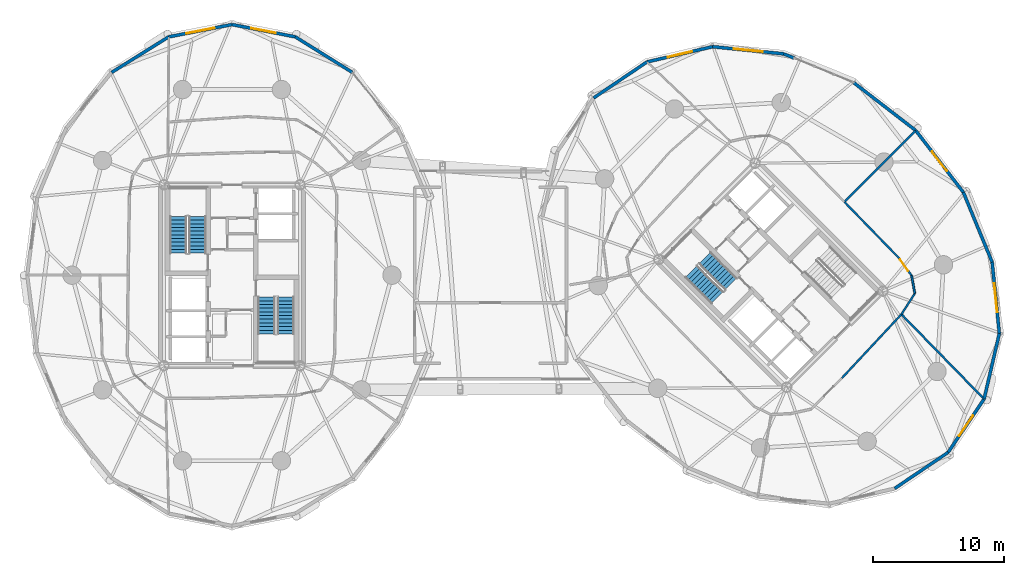
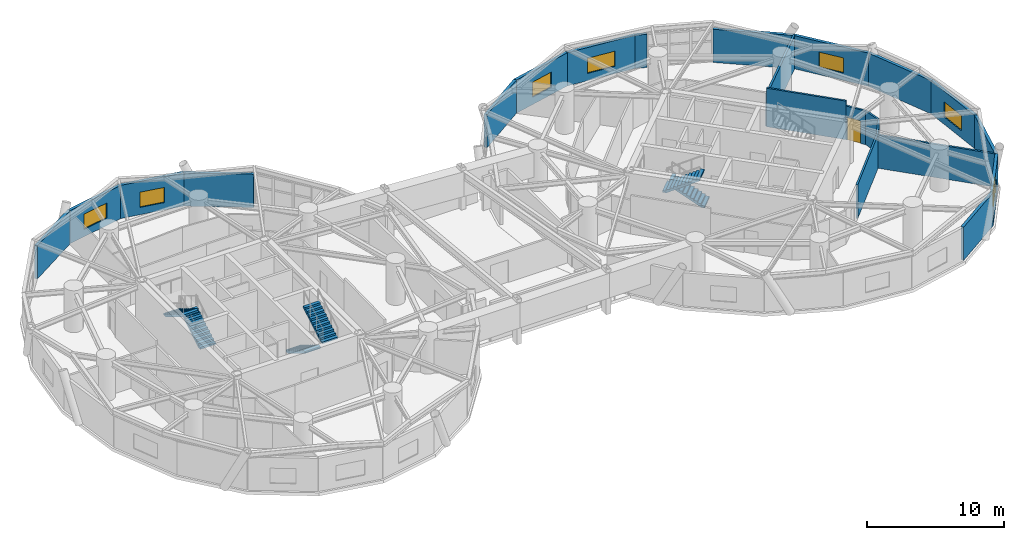
# One storey, part 14 of 17: 22 walls, 7 windows, 6 stair flights, 1 door, 8 openings, 3 elements without a shape of their own.
"""IFC4 building model written with IfcOpenShell, lengths in metres."""

from ifc_helpers import new_model, si_unit, direction, frame, frame_2d, origin, place, context, subcontext, project, spatial, polyline, rectangle, outline, extrude, source, transform, mapped, material, layer, layer_set, type_object, element, fill, aggregate, save


model = new_model("IFC4")

# Units and contexts
model_context = context("Model", 3, precision=1e-05, world=origin(), true_north=direction((0.0, 1.0)))
body_context = subcontext(model_context, "Body", "Model", "MODEL_VIEW")
ifc_project = project(units=[si_unit("LENGTHUNIT", "METRE"), si_unit("AREAUNIT", "SQUARE_METRE"), si_unit("VOLUMEUNIT", "CUBIC_METRE"), si_unit("PLANEANGLEUNIT", "RADIAN"), si_unit("MASSUNIT", "GRAM", prefix="KILO")], contexts=[model_context])

# Site, building, storey
site_placement = place(None, origin())
site = spatial("IfcSite", under=ifc_project, at=site_placement, CompositionType="ELEMENT")
building_placement = place(site_placement, origin())
building = spatial("IfcBuilding", under=site, at=building_placement, Name="Cununo Teusaquillo Station Towers", CompositionType="ELEMENT")
storey_placement = place(building_placement, frame((0.0, 0.0, 125.43994140625)))
storey = spatial("IfcBuildingStorey", under=building, at=storey_placement, Name="L40", CompositionType="ELEMENT", Elevation=125.43994140625)

# Wall
ifc_material_1 = material(Name="Precast concrete C40/50", Category="concrete")
ifc_layer_1 = layer(ifc_material_1, 0.239990234375)
ifc_layer_set_1 = layer_set([ifc_layer_1], Name="Precast concrete C40/50")
wall_type_1 = type_object("IfcWallType", Name="WL-EXT-240", PredefinedType="SOLIDWALL", material=ifc_layer_set_1)
wall_1_placement = place(storey_placement, frame((21.314697265625, 42.63671875, 0.0), z_axis=(0.0, 0.0, 1.0), x_axis=(0.848520380187, -0.529162701263, 0.0)))
element("IfcWall", 1, at=wall_1_placement, inside=storey, type_object=wall_type_1, Name="L40 Tower A Exterior Facade Wall C03", PredefinedType="SOLIDWALL", context=body_context, shape_type="SweptSolid", body=[
    extrude(rectangle(XDim=5.118896484375, YDim=0.239990234375, at=frame_2d((2.5595703125, 0.0))), origin(), (0.0, 0.0, 1.0), 2.948974609375),
])

# Wall, opening, window
wall_2_placement = place(storey_placement, frame((16.5, 43.570068359375, 0.0), z_axis=(0.0, 0.0, 1.0), x_axis=(0.981723785992, -0.190311344954, 0.0)))
wall_2 = element("IfcWall", 2, at=wall_2_placement, inside=storey, type_object=wall_type_1, Name="L40 Tower A Exterior Facade Wall C04", PredefinedType="SOLIDWALL", context=body_context, shape_type="SweptSolid", body=[
    extrude(rectangle(XDim=4.904296875, YDim=0.239990234375, at=frame_2d((2.4521484375, 0.0))), origin(), (0.0, 0.0, 1.0), 2.948974609375),
])
shared_shape_1 = source(origin(), body_context, "Body", "SweptSolid", [
    extrude(rectangle(XDim=1.89990234375, YDim=1.35009765625, at=frame_2d((0.949951171875, 0.675048828125))), frame((0.0, 0.1298828125, 0.0), z_axis=(0.0, -1.0, 0.0), x_axis=(1.0, 0.0, 0.0)), (0.0, 0.0, 1.0), 0.260009765625),
])
opening_1_placement = place(wall_2_placement, frame((1.501953125, 0.0, 0.64990234375)))
opening_1 = element("IfcOpeningElement", 3, at=opening_1_placement, cuts=wall_2, Name="Opening WN-02", PredefinedType="OPENING", context=body_context, shape_type="MappedRepresentation", body=[
    mapped(shared_shape_1, transform((0.0, 0.0, 0.0), x_axis=(1.0, 0.0, 0.0), y_axis=(0.0, 1.0, 0.0), z_axis=(0.0, 0.0, 1.0), scale=1.0)),
])
ifc_material_2 = material(Name="Operable acoustic tinted low-E double glazing", Category="glass")
window_type_1 = type_object("IfcWindowType", Name="WIN-OPER-1900", PartitioningType="DOUBLE_PANEL_VERTICAL", PredefinedType="WINDOW", material=ifc_material_2)
shared_shape_2 = source(origin(), body_context, "Body", "SweptSolid", [
    extrude(rectangle(XDim=1.89990234375, YDim=1.35009765625, at=frame_2d((0.949951171875, 0.675048828125))), frame((0.0, 0.030029296875, 0.0), z_axis=(0.0, -1.0, 0.0), x_axis=(1.0, 0.0, 0.0)), (0.0, 0.0, 1.0), 0.06005859375),
])
window_1_placement = place(opening_1_placement, origin())
window_1 = element("IfcWindow", 4, at=window_1_placement, inside=storey, type_object=window_type_1, Name="L40 Tower A Facade Window C04", OverallHeight=1.35009765625, OverallWidth=1.89990234375, PartitioningType="DOUBLE_PANEL_VERTICAL", PredefinedType="WINDOW", context=body_context, shape_type="MappedRepresentation", body=[
    mapped(shared_shape_2, transform((0.0, 0.0, 0.0), x_axis=(1.0, 0.0, 0.0), y_axis=(0.0, 1.0, 0.0), z_axis=(0.0, 0.0, 1.0), scale=1.0)),
])
fill(opening_1, window_1)

wall_3_placement = place(storey_placement, frame((11.685302734375, 42.63671875, 0.0), z_axis=(0.0, 0.0, 1.0), x_axis=(0.981723785992, 0.190311344954, 0.0)))
wall_3 = element("IfcWall", 5, at=wall_3_placement, inside=storey, type_object=wall_type_1, Name="L40 Tower A Exterior Facade Wall C05", PredefinedType="SOLIDWALL", context=body_context, shape_type="SweptSolid", body=[
    extrude(rectangle(XDim=4.904296875, YDim=0.239990234375, at=frame_2d((2.4521484375, 0.0))), origin(), (0.0, 0.0, 1.0), 2.948974609375),
])
shared_shape_3 = source(origin(), body_context, "Body", "SweptSolid", [
    extrude(rectangle(XDim=2.199951171875, YDim=1.35009765625, at=frame_2d((1.10009765625, 0.675048828125))), frame((0.0, 0.1298828125, 0.0), z_axis=(0.0, -1.0, 0.0), x_axis=(1.0, 0.0, 0.0)), (0.0, 0.0, 1.0), 0.260009765625),
])
opening_2_placement = place(wall_3_placement, frame((1.35205078125, 0.0, 0.64990234375)))
opening_2 = element("IfcOpeningElement", 6, at=opening_2_placement, cuts=wall_3, Name="Opening WN-01", PredefinedType="OPENING", context=body_context, shape_type="MappedRepresentation", body=[
    mapped(shared_shape_3, transform((0.0, 0.0, 0.0), x_axis=(1.0, 0.0, 0.0), y_axis=(0.0, 1.0, 0.0), z_axis=(0.0, 0.0, 1.0), scale=1.0)),
])
ifc_material_3 = material(Name="Ceramic-fritted dark low-E double glazing", Category="glass")
window_type_2 = type_object("IfcWindowType", Name="WIN-FRIT-2200", PartitioningType="DOUBLE_PANEL_VERTICAL", PredefinedType="WINDOW", material=ifc_material_3)
shared_shape_4 = source(origin(), body_context, "Body", "SweptSolid", [
    extrude(rectangle(XDim=2.199951171875, YDim=1.35009765625, at=frame_2d((1.10009765625, 0.675048828125))), frame((0.0, 0.030029296875, 0.0), z_axis=(0.0, -1.0, 0.0), x_axis=(1.0, 0.0, 0.0)), (0.0, 0.0, 1.0), 0.06005859375),
])
window_2_placement = place(opening_2_placement, origin())
window_2 = element("IfcWindow", 7, at=window_2_placement, inside=storey, type_object=window_type_2, Name="L40 Tower A Facade Window C05", OverallHeight=1.35009765625, OverallWidth=2.199951171875, PartitioningType="DOUBLE_PANEL_VERTICAL", PredefinedType="WINDOW", context=body_context, shape_type="MappedRepresentation", body=[
    mapped(shared_shape_4, transform((0.0, 0.0, 0.0), x_axis=(1.0, 0.0, 0.0), y_axis=(0.0, 1.0, 0.0), z_axis=(0.0, 0.0, 1.0), scale=1.0)),
])
fill(opening_2, window_2)

# Walls
wall_4_placement = place(storey_placement, frame((7.341796875, 39.927978515625, 0.0), z_axis=(0.0, 0.0, 1.0), x_axis=(0.848520380187, 0.529162701263, 0.0)))
element("IfcWall", 8, at=wall_4_placement, inside=storey, type_object=wall_type_1, Name="L40 Tower A Exterior Facade Wall C06", PredefinedType="SOLIDWALL", context=body_context, shape_type="SweptSolid", body=[
    extrude(rectangle(XDim=5.118896484375, YDim=0.239990234375, at=frame_2d((2.5595703125, 0.0))), origin(), (0.0, 0.0, 1.0), 2.948974609375),
])
wall_5_placement = place(storey_placement, frame((63.811279296875, 39.145263671875, 0.0), z_axis=(0.0, 0.0, 1.0), x_axis=(0.791982052206, -0.61054437102, 0.0)))
element("IfcWall", 9, at=wall_5_placement, inside=storey, type_object=wall_type_1, Name="L40 Tower B Exterior Facade Wall C00", PredefinedType="SOLIDWALL", context=body_context, shape_type="SweptSolid", body=[
    extrude(rectangle(XDim=5.942138671875, YDim=0.239990234375, at=frame_2d((2.97119140625, 0.0))), origin(), (0.0, 0.0, 1.0), 2.948974609375),
])
wall_6_placement = place(storey_placement, frame((58.4873046875, 41.33935546875, 0.0), z_axis=(0.0, 0.0, 1.0), x_axis=(0.924556017656, -0.381046152345, 0.0)))
element("IfcWall", 10, at=wall_6_placement, inside=storey, type_object=wall_type_1, Name="L40 Tower B Column Pier Cladding Wall C01-PA", PredefinedType="SOLIDWALL", context=body_context, shape_type="SweptSolid", body=[
    extrude(rectangle(XDim=0.8701171875, YDim=0.239990234375, at=frame_2d((0.43505859375, 0.0))), origin(), (0.0, 0.0, 1.0), 2.948974609375),
])

# Wall, opening, window
wall_7_placement = place(storey_placement, frame((53.066650390625, 41.885009765625, 0.0), z_axis=(0.0, 0.0, 1.0), x_axis=(0.994971754311, -0.10015591906, 0.0)))
wall_7 = element("IfcWall", 11, at=wall_7_placement, inside=storey, type_object=wall_type_1, Name="L40 Tower B Exterior Facade Wall C02", PredefinedType="SOLIDWALL", context=body_context, shape_type="SweptSolid", body=[
    extrude(rectangle(XDim=5.447998046875, YDim=0.239990234375, at=frame_2d((2.72412109375, 0.0))), origin(), (0.0, 0.0, 1.0), 2.948974609375),
])
opening_3_placement = place(wall_7_placement, frame((1.6240234375, 0.0, 0.64990234375)))
opening_3 = element("IfcOpeningElement", 12, at=opening_3_placement, cuts=wall_7, Name="Opening WN-01", PredefinedType="OPENING", context=body_context, shape_type="MappedRepresentation", body=[
    mapped(shared_shape_3, transform((0.0, 0.0, 0.0), x_axis=(1.0, 0.0, 0.0), y_axis=(0.0, 1.0, 0.0), z_axis=(0.0, 0.0, 1.0), scale=1.0)),
])
window_3_placement = place(opening_3_placement, origin())
window_3 = element("IfcWindow", 13, at=window_3_placement, inside=storey, type_object=window_type_2, Name="L40 Tower B Facade Window C02", OverallHeight=1.35009765625, OverallWidth=2.199951171875, PartitioningType="DOUBLE_PANEL_VERTICAL", PredefinedType="WINDOW", context=body_context, shape_type="MappedRepresentation", body=[
    mapped(shared_shape_4, transform((0.0, 0.0, 0.0), x_axis=(1.0, 0.0, 0.0), y_axis=(0.0, 1.0, 0.0), z_axis=(0.0, 0.0, 1.0), scale=1.0)),
])
fill(opening_3, window_3)

wall_8_placement = place(storey_placement, frame((48.080078125, 40.72900390625, 0.0), z_axis=(0.0, 0.0, 1.0), x_axis=(0.974165631126, 0.225834725257, 0.0)))
wall_8 = element("IfcWall", 14, at=wall_8_placement, inside=storey, type_object=wall_type_1, Name="L40 Tower B Exterior Facade Wall C03", PredefinedType="SOLIDWALL", context=body_context, shape_type="SweptSolid", body=[
    extrude(rectangle(XDim=5.118896484375, YDim=0.239990234375, at=frame_2d((2.5595703125, 0.0))), origin(), (0.0, 0.0, 1.0), 2.948974609375),
])
opening_4_placement = place(wall_8_placement, frame((1.60888671875, 0.0, 0.64990234375)))
opening_4 = element("IfcOpeningElement", 15, at=opening_4_placement, cuts=wall_8, Name="Opening WN-02", PredefinedType="OPENING", context=body_context, shape_type="MappedRepresentation", body=[
    mapped(shared_shape_1, transform((0.0, 0.0, 0.0), x_axis=(1.0, 0.0, 0.0), y_axis=(0.0, 1.0, 0.0), z_axis=(0.0, 0.0, 1.0), scale=1.0)),
])
window_4_placement = place(opening_4_placement, origin())
window_4 = element("IfcWindow", 16, at=window_4_placement, inside=storey, type_object=window_type_1, Name="L40 Tower B Facade Window C03", OverallHeight=1.35009765625, OverallWidth=1.89990234375, PartitioningType="DOUBLE_PANEL_VERTICAL", PredefinedType="WINDOW", context=body_context, shape_type="MappedRepresentation", body=[
    mapped(shared_shape_2, transform((0.0, 0.0, 0.0), x_axis=(1.0, 0.0, 0.0), y_axis=(0.0, 1.0, 0.0), z_axis=(0.0, 0.0, 1.0), scale=1.0)),
])
fill(opening_4, window_4)

# Walls
for number, where, z_axis, x_axis, name in (
    (17, (44.015380859375, 37.984619140625, 0.0), (0.0, 0.0, 1.0), (0.828781148131, 0.559572880421, 0.0), "L40 Tower B Exterior Facade Wall C04"),
    (18, (70.984619140625, 11.015380859375, 0.0), (0.0, 0.0, 1.0), (-0.828781148131, -0.559572880421, 0.0), "L40 Tower B Exterior Facade Wall C14"),
):
    element("IfcWall", number, at=place(storey_placement, frame(where, z_axis=z_axis, x_axis=x_axis)), inside=storey, type_object=wall_type_1, Name=name, PredefinedType="SOLIDWALL", context=body_context, shape_type="SweptSolid", body=[
        extrude(rectangle(XDim=4.904541015625, YDim=0.239990234375, at=frame_2d((2.4521484375, 0.0))), origin(), (0.0, 0.0, 1.0), 2.948974609375),
    ])

# Wall, opening, window
wall_9_placement = place(storey_placement, frame((73.72900390625, 15.080078125, 0.0), z_axis=(0.0, 0.0, 1.0), x_axis=(-0.559572880421, -0.828781148131, 0.0)))
wall_9 = element("IfcWall", 19, at=wall_9_placement, inside=storey, type_object=wall_type_1, Name="L40 Tower B Exterior Facade Wall C15", PredefinedType="SOLIDWALL", context=body_context, shape_type="SweptSolid", body=[
    extrude(rectangle(XDim=4.904541015625, YDim=0.239990234375, at=frame_2d((2.4521484375, 0.0))), origin(), (0.0, 0.0, 1.0), 2.948974609375),
])
opening_5_placement = place(wall_9_placement, frame((1.501953125, 0.0, 0.64990234375)))
opening_5 = element("IfcOpeningElement", 20, at=opening_5_placement, cuts=wall_9, Name="Opening WN-02", PredefinedType="OPENING", context=body_context, shape_type="MappedRepresentation", body=[
    mapped(shared_shape_1, transform((0.0, 0.0, 0.0), x_axis=(1.0, 0.0, 0.0), y_axis=(0.0, 1.0, 0.0), z_axis=(0.0, 0.0, 1.0), scale=1.0)),
])
window_5_placement = place(opening_5_placement, origin())
window_5 = element("IfcWindow", 21, at=window_5_placement, inside=storey, type_object=window_type_1, Name="L40 Tower B Facade Window C15", OverallHeight=1.35009765625, OverallWidth=1.89990234375, PartitioningType="DOUBLE_PANEL_VERTICAL", PredefinedType="WINDOW", context=body_context, shape_type="MappedRepresentation", body=[
    mapped(shared_shape_2, transform((0.0, 0.0, 0.0), x_axis=(1.0, 0.0, 0.0), y_axis=(0.0, 1.0, 0.0), z_axis=(0.0, 0.0, 1.0), scale=1.0)),
])
fill(opening_5, window_5)

# Wall
wall_10_placement = place(storey_placement, frame((74.885009765625, 20.066650390625, 0.0), z_axis=(0.0, 0.0, 1.0), x_axis=(-0.225834725257, -0.974165631126, 0.0)))
element("IfcWall", 22, at=wall_10_placement, inside=storey, type_object=wall_type_1, Name="L40 Tower B Exterior Facade Wall C16", PredefinedType="SOLIDWALL", context=body_context, shape_type="SweptSolid", body=[
    extrude(rectangle(XDim=5.118896484375, YDim=0.239990234375, at=frame_2d((2.5595703125, 0.0))), origin(), (0.0, 0.0, 1.0), 2.948974609375),
])

# Wall, opening, window
wall_11_placement = place(storey_placement, frame((74.33935546875, 25.4873046875, 0.0), z_axis=(0.0, 0.0, 1.0), x_axis=(0.10015591906, -0.994971754311, 0.0)))
wall_11 = element("IfcWall", 23, at=wall_11_placement, inside=storey, type_object=wall_type_1, Name="L40 Tower B Exterior Facade Wall C17", PredefinedType="SOLIDWALL", context=body_context, shape_type="SweptSolid", body=[
    extrude(rectangle(XDim=5.447998046875, YDim=0.239990234375, at=frame_2d((2.72412109375, 0.0))), origin(), (0.0, 0.0, 1.0), 2.948974609375),
])
opening_6_placement = place(wall_11_placement, frame((1.6240234375, 0.0, 0.64990234375)))
opening_6 = element("IfcOpeningElement", 24, at=opening_6_placement, cuts=wall_11, Name="Opening WN-01", PredefinedType="OPENING", context=body_context, shape_type="MappedRepresentation", body=[
    mapped(shared_shape_3, transform((0.0, 0.0, 0.0), x_axis=(1.0, 0.0, 0.0), y_axis=(0.0, 1.0, 0.0), z_axis=(0.0, 0.0, 1.0), scale=1.0)),
])
window_6_placement = place(opening_6_placement, origin())
window_6 = element("IfcWindow", 25, at=window_6_placement, inside=storey, type_object=window_type_2, Name="L40 Tower B Facade Window C17", OverallHeight=1.35009765625, OverallWidth=2.199951171875, PartitioningType="DOUBLE_PANEL_VERTICAL", PredefinedType="WINDOW", context=body_context, shape_type="MappedRepresentation", body=[
    mapped(shared_shape_4, transform((0.0, 0.0, 0.0), x_axis=(1.0, 0.0, 0.0), y_axis=(0.0, 1.0, 0.0), z_axis=(0.0, 0.0, 1.0), scale=1.0)),
])
fill(opening_6, window_6)

# Wall
wall_12_placement = place(storey_placement, frame((72.145263671875, 30.811279296875, 0.0), z_axis=(0.0, 0.0, 1.0), x_axis=(0.381027003055, -0.924563909604, 0.0)))
element("IfcWall", 26, at=wall_12_placement, inside=storey, type_object=wall_type_1, Name="L40 Tower B Exterior Facade Wall C18", PredefinedType="SOLIDWALL", context=body_context, shape_type="SweptSolid", body=[
    extrude(rectangle(XDim=5.75830078125, YDim=0.239990234375, at=frame_2d((2.879150390625, 0.0))), origin(), (0.0, 0.0, 1.0), 2.948974609375),
])

# Wall, opening, window
wall_13_placement = place(storey_placement, frame((68.517333984375, 35.517333984375, 0.0), z_axis=(0.0, 0.0, 1.0), x_axis=(0.61054437102, -0.791982052206, 0.0)))
wall_13 = element("IfcWall", 27, at=wall_13_placement, inside=storey, type_object=wall_type_1, Name="L40 Tower B Exterior Facade Wall C19", PredefinedType="SOLIDWALL", context=body_context, shape_type="SweptSolid", body=[
    extrude(rectangle(XDim=5.942138671875, YDim=0.239990234375, at=frame_2d((2.97119140625, 0.0))), origin(), (0.0, 0.0, 1.0), 2.948974609375),
])
opening_7_placement = place(wall_13_placement, frame((2.02099609375, 0.0, 0.64990234375)))
opening_7 = element("IfcOpeningElement", 28, at=opening_7_placement, cuts=wall_13, Name="Opening WN-02", PredefinedType="OPENING", context=body_context, shape_type="MappedRepresentation", body=[
    mapped(shared_shape_1, transform((0.0, 0.0, 0.0), x_axis=(1.0, 0.0, 0.0), y_axis=(0.0, 1.0, 0.0), z_axis=(0.0, 0.0, 1.0), scale=1.0)),
])
window_7_placement = place(opening_7_placement, origin())
window_7 = element("IfcWindow", 29, at=window_7_placement, inside=storey, type_object=window_type_1, Name="L40 Tower B Facade Window C19", OverallHeight=1.35009765625, OverallWidth=1.89990234375, PartitioningType="DOUBLE_PANEL_VERTICAL", PredefinedType="WINDOW", context=body_context, shape_type="MappedRepresentation", body=[
    mapped(shared_shape_2, transform((0.0, 0.0, 0.0), x_axis=(1.0, 0.0, 0.0), y_axis=(0.0, 1.0, 0.0), z_axis=(0.0, 0.0, 1.0), scale=1.0)),
])
fill(opening_7, window_7)

# Walls
ifc_material_4 = material(Name="Fire-rated gypsum plasterboard partition assembly", Category="gypsum")
ifc_layer_2 = layer(ifc_material_4, 0.14990234375)
ifc_layer_set_2 = layer_set([ifc_layer_2], Name="Fire-rated gypsum plasterboard partition assembly")
wall_type_2 = type_object("IfcWallType", Name="WL-PART-150", PredefinedType="PARTITIONING", material=ifc_layer_set_2)
wall_14_placement = place(storey_placement, frame((62.902587890625, 16.66650390625, 0.0), z_axis=(0.0, 0.0, 1.0), x_axis=(0.682371947497, 0.731005147225, 0.0)))
element("IfcWall", 30, at=wall_14_placement, inside=storey, type_object=wall_type_2, Name="L40 Tower B Corridor Ring Wall C15", PredefinedType="PARTITIONING", context=body_context, shape_type="SweptSolid", body=[
    extrude(rectangle(XDim=6.6416015625, YDim=0.14990234375, at=frame_2d((3.32080078125, 0.0))), origin(), (0.0, 0.0, 1.0), 2.9951171875),
])
wall_15_placement = place(storey_placement, frame((67.4345703125, 21.521484375, 0.0), z_axis=(0.0, 0.0, 1.0), x_axis=(0.540777197838, 0.841165870859, 0.0)))
element("IfcWall", 31, at=wall_15_placement, inside=storey, type_object=wall_type_2, Name="L40 Tower B Corridor Ring Wall C16", PredefinedType="PARTITIONING", context=body_context, shape_type="SweptSolid", body=[
    extrude(rectangle(XDim=1.887939453125, YDim=0.14990234375, at=frame_2d((0.94384765625, 0.0))), origin(), (0.0, 0.0, 1.0), 2.9951171875),
])
wall_16_placement = place(storey_placement, frame((68.45556640625, 23.109619140625, 0.0), z_axis=(0.0, 0.0, 1.0), x_axis=(-0.1772522795, 0.984165448191, 0.0)))
element("IfcWall", 32, at=wall_16_placement, inside=storey, type_object=wall_type_2, Name="L40 Tower B Corridor Ring Wall C17", PredefinedType="PARTITIONING", context=body_context, shape_type="SweptSolid", body=[
    extrude(rectangle(XDim=1.381591796875, YDim=0.14990234375, at=frame_2d((0.69091796875, 0.0))), origin(), (0.0, 0.0, 1.0), 2.9951171875),
])

# Wall, opening, door
wall_17_placement = place(storey_placement, frame((68.210693359375, 24.46923828125, 0.0), z_axis=(0.0, 0.0, 1.0), x_axis=(-0.583012141368, 0.812463441034, 0.0)))
wall_17 = element("IfcWall", 33, at=wall_17_placement, inside=storey, type_object=wall_type_2, Name="L40 Tower B Corridor Ring Wall C18", PredefinedType="PARTITIONING", context=body_context, shape_type="SweptSolid", body=[
    extrude(rectangle(XDim=1.613037109375, YDim=0.14990234375, at=frame_2d((0.806640625, 0.0))), origin(), (0.0, 0.0, 1.0), 2.9951171875),
])
shared_shape_5 = source(origin(), body_context, "Body", "SweptSolid", [
    extrude(rectangle(XDim=1.050048828125, YDim=2.014892578125, at=frame_2d((0.52490234375, 1.00732421875))), frame((0.0, 0.0849609375, 0.0), z_axis=(0.0, -1.0, 0.0), x_axis=(1.0, 0.0, 0.0)), (0.0, 0.0, 1.0), 0.169921875),
])
opening_8_placement = place(wall_17_placement, frame((0.443115234375, 0.0, 0.0)))
opening_8 = element("IfcOpeningElement", 34, at=opening_8_placement, cuts=wall_17, Name="Opening D-SU1", PredefinedType="OPENING", context=body_context, shape_type="MappedRepresentation", body=[
    mapped(shared_shape_5, transform((0.0, 0.0, 0.0), x_axis=(1.0, 0.0, 0.0), y_axis=(0.0, 1.0, 0.0), z_axis=(0.0, 0.0, 1.0), scale=1.0)),
])
ifc_material_5 = material(Name="Acoustic solid-core hardwood leaf assembly", Category="wood")
door_type = type_object("IfcDoorType", Name="DR-SUITE-1050", OperationType="NOTDEFINED", PredefinedType="DOOR", material=ifc_material_5)
shared_shape_6 = source(origin(), body_context, "Body", "SweptSolid", [
    extrude(rectangle(XDim=1.050048828125, YDim=2.014892578125, at=frame_2d((0.52490234375, 1.00732421875))), frame((0.0, 0.02490234375, 0.0), z_axis=(0.0, -1.0, 0.0), x_axis=(1.0, 0.0, 0.0)), (0.0, 0.0, 1.0), 0.050048828125),
])
door_placement = place(opening_8_placement, origin())
door = element("IfcDoor", 35, at=door_placement, inside=storey, type_object=door_type, Name="L40 Tower B Bridge Portal Reception Foyer Entrance Door", OperationType="SINGLE_SWING_LEFT", OverallHeight=2.014892578125, OverallWidth=1.050048828125, PredefinedType="DOOR", context=body_context, shape_type="MappedRepresentation", body=[
    mapped(shared_shape_6, transform((0.0, 0.0, 0.0), x_axis=(1.0, 0.0, 0.0), y_axis=(0.0, 1.0, 0.0), z_axis=(0.0, 0.0, 1.0), scale=1.0)),
])
fill(opening_8, door)

# Walls
wall_18_placement = place(storey_placement, frame((67.270263671875, 25.77978515625, 0.0), z_axis=(0.0, 0.0, 1.0), x_axis=(-0.696847842907, 0.717218992942, 0.0)))
element("IfcWall", 36, at=wall_18_placement, inside=storey, type_object=wall_type_2, Name="L40 Tower B Corridor Ring Wall C19", PredefinedType="PARTITIONING", context=body_context, shape_type="SweptSolid", body=[
    extrude(rectangle(XDim=6.00439453125, YDim=0.14990234375, at=frame_2d((3.002197265625, 0.0))), origin(), (0.0, 0.0, 1.0), 3.425048828125),
])
ifc_material_6 = material(Name="Fire-rated gypsum plasterboard partition assembly", Category="gypsum")
ifc_layer_3 = layer(ifc_material_6, 0.159912109375)
ifc_layer_set_3 = layer_set([ifc_layer_3], Name="Fire-rated gypsum plasterboard partition assembly")
wall_type_3 = type_object("IfcWallType", Name="WL-PART-160", PredefinedType="PARTITIONING", material=ifc_layer_set_3)
wall_19_placement = place(storey_placement, frame((63.086181640625, 30.086181640625, 0.0), z_axis=(0.0, 0.0, 1.0), x_axis=(0.707106781187, 0.707106781187, 0.0)))
element("IfcWall", 37, at=wall_19_placement, inside=storey, type_object=wall_type_3, Name="L40 Tower B Radial Suite Partition R01", PredefinedType="PARTITIONING", context=body_context, shape_type="SweptSolid", body=[
    extrude(rectangle(XDim=7.6611328125, YDim=0.159912109375, at=frame_2d((3.83056640625, 0.0))), origin(), (0.0, 0.0, 1.0), 2.948974609375),
])
wall_20_placement = place(storey_placement, frame((67.4345703125, 21.521484375, 0.0), z_axis=(0.0, 0.0, 1.0), x_axis=(0.6983880073, -0.715719352302, 0.0)))
element("IfcWall", 38, at=wall_20_placement, inside=storey, type_object=wall_type_3, Name="L40 Tower B Radial Suite Partition R05", PredefinedType="PARTITIONING", context=body_context, shape_type="SweptSolid", body=[
    extrude(rectangle(XDim=8.9873046875, YDim=0.159912109375, at=frame_2d((4.49365234375, 0.0))), origin(), (0.0, 0.0, 1.0), 2.948974609375),
])

# Stair, stair flights
ifc_material_7 = material(Name="Concrete C50/60", Category="concrete")
stair_type = type_object("IfcStairType", Name="ST-TWR-1300", PredefinedType="HALF_TURN_STAIR", material=ifc_material_7)
stair_1_placement = place(storey_placement, origin())
stair_1 = element("IfcStair", 39, at=stair_1_placement, inside=storey, type_object=stair_type, Name="L40 Tower A Protected Core Exit Stair 1", PredefinedType="HALF_TURN_STAIR")
ifc_material_8 = material(Name="Concrete C50/60", Category="concrete")
stair_flight_type = type_object("IfcStairFlightType", Name="SFL-TWR-1300", PredefinedType="STRAIGHT", material=ifc_material_8)
stair_flight_1_placement = place(storey_placement, frame((13.8701171875, 26.169921875, 0.0), z_axis=(0.0, 0.0, 1.0), x_axis=(0.0, 1.0, 0.0)))
stair_flight_1 = element("IfcStairFlight", 40, at=stair_flight_1_placement, type_object=stair_flight_type, Name="ST-T1-1 flight 1", NumberOfRisers=11, NumberOfTreads=10, PredefinedType="STRAIGHT", RiserHeight=0.169090909, TreadLength=0.28, context=body_context, shape_type="SweptSolid", body=[
    extrude(outline(polyline([(0.0, 0.0), (0.0, 0.169189453125), (0.280029296875, 0.169189453125), (0.280029296875, 0.338134765625), (0.56005859375, 0.338134765625), (0.56005859375, 0.50732421875), (0.840087890625, 0.50732421875), (0.840087890625, 0.67626953125), (1.1201171875, 0.67626953125), (1.1201171875, 0.845458984375), (1.39990234375, 0.845458984375), (1.39990234375, 1.0146484375), (1.679931640625, 1.0146484375), (1.679931640625, 1.18359375), (1.9599609375, 1.18359375), (1.9599609375, 1.352783203125), (2.239990234375, 1.352783203125), (2.239990234375, 1.521728515625), (2.52001953125, 1.521728515625), (2.52001953125, 1.69091796875), (2.800048828125, 1.69091796875), (2.800048828125, 1.860107421875), (2.800048828125, 1.515869140625), (0.2900390625, 0.0), (0.0, 0.0)])), frame((0.0, 0.64990234375, 0.0), z_axis=(0.0, -1.0, 0.0), x_axis=(1.0, 0.0, 0.0)), (0.0, 0.0, 1.0), 1.300048828125),
])
stair_flight_2_placement = place(storey_placement, frame((12.409912109375, 28.969970703125, 1.860107421875), z_axis=(0.0, 0.0, 1.0), x_axis=(0.0, -1.0, 0.0)))
stair_flight_2 = element("IfcStairFlight", 41, at=stair_flight_2_placement, type_object=stair_flight_type, Name="ST-T1-1 flight 2", NumberOfRisers=11, NumberOfTreads=10, PredefinedType="STRAIGHT", RiserHeight=0.169090909, TreadLength=0.28, context=body_context, shape_type="SweptSolid", body=[
    extrude(outline(polyline([(0.0, 0.0), (0.0, 0.169189453125), (0.280029296875, 0.169189453125), (0.280029296875, 0.338134765625), (0.56005859375, 0.338134765625), (0.56005859375, 0.50732421875), (0.840087890625, 0.50732421875), (0.840087890625, 0.67626953125), (1.1201171875, 0.67626953125), (1.1201171875, 0.845458984375), (1.39990234375, 0.845458984375), (1.39990234375, 1.0146484375), (1.679931640625, 1.0146484375), (1.679931640625, 1.18359375), (1.9599609375, 1.18359375), (1.9599609375, 1.352783203125), (2.239990234375, 1.352783203125), (2.239990234375, 1.521728515625), (2.52001953125, 1.521728515625), (2.52001953125, 1.69091796875), (2.800048828125, 1.69091796875), (2.800048828125, 1.860107421875), (2.800048828125, 1.515869140625), (0.2900390625, 0.0), (0.0, 0.0)])), frame((0.0, 0.64990234375, 0.0), z_axis=(0.0, -1.0, 0.0), x_axis=(1.0, 0.0, 0.0)), (0.0, 0.0, 1.0), 1.300048828125),
])
aggregate(stair_1, [stair_flight_1, stair_flight_2])

stair_2_placement = place(storey_placement, origin())
stair_2 = element("IfcStair", 42, at=stair_2_placement, inside=storey, type_object=stair_type, Name="L40 Tower A Protected Core Exit Stair 2", PredefinedType="HALF_TURN_STAIR")
stair_flight_3_placement = place(storey_placement, frame((19.1298828125, 22.830078125, 0.0), z_axis=(0.0, 0.0, 1.0), x_axis=(0.0, -1.0, 0.0)))
stair_flight_3 = element("IfcStairFlight", 43, at=stair_flight_3_placement, type_object=stair_flight_type, Name="ST-T1-2 flight 1", NumberOfRisers=11, NumberOfTreads=10, PredefinedType="STRAIGHT", RiserHeight=0.169090909, TreadLength=0.28, context=body_context, shape_type="SweptSolid", body=[
    extrude(outline(polyline([(0.0, 0.0), (0.0, 0.169189453125), (0.280029296875, 0.169189453125), (0.280029296875, 0.338134765625), (0.56005859375, 0.338134765625), (0.56005859375, 0.50732421875), (0.840087890625, 0.50732421875), (0.840087890625, 0.67626953125), (1.1201171875, 0.67626953125), (1.1201171875, 0.845458984375), (1.39990234375, 0.845458984375), (1.39990234375, 1.0146484375), (1.679931640625, 1.0146484375), (1.679931640625, 1.18359375), (1.9599609375, 1.18359375), (1.9599609375, 1.352783203125), (2.239990234375, 1.352783203125), (2.239990234375, 1.521728515625), (2.52001953125, 1.521728515625), (2.52001953125, 1.69091796875), (2.800048828125, 1.69091796875), (2.800048828125, 1.860107421875), (2.800048828125, 1.515869140625), (0.2900390625, 0.0), (0.0, 0.0)])), frame((0.0, 0.64990234375, 0.0), z_axis=(0.0, -1.0, 0.0), x_axis=(1.0, 0.0, 0.0)), (0.0, 0.0, 1.0), 1.300048828125),
])
stair_flight_4_placement = place(storey_placement, frame((20.590087890625, 20.030029296875, 1.860107421875), z_axis=(0.0, 0.0, 1.0), x_axis=(0.0, 1.0, 0.0)))
stair_flight_4 = element("IfcStairFlight", 44, at=stair_flight_4_placement, type_object=stair_flight_type, Name="ST-T1-2 flight 2", NumberOfRisers=11, NumberOfTreads=10, PredefinedType="STRAIGHT", RiserHeight=0.169090909, TreadLength=0.28, context=body_context, shape_type="SweptSolid", body=[
    extrude(outline(polyline([(0.0, 0.0), (0.0, 0.169189453125), (0.280029296875, 0.169189453125), (0.280029296875, 0.338134765625), (0.56005859375, 0.338134765625), (0.56005859375, 0.50732421875), (0.840087890625, 0.50732421875), (0.840087890625, 0.67626953125), (1.1201171875, 0.67626953125), (1.1201171875, 0.845458984375), (1.39990234375, 0.845458984375), (1.39990234375, 1.0146484375), (1.679931640625, 1.0146484375), (1.679931640625, 1.18359375), (1.9599609375, 1.18359375), (1.9599609375, 1.352783203125), (2.239990234375, 1.352783203125), (2.239990234375, 1.521728515625), (2.52001953125, 1.521728515625), (2.52001953125, 1.69091796875), (2.800048828125, 1.69091796875), (2.800048828125, 1.860107421875), (2.800048828125, 1.515869140625), (0.2900390625, 0.0), (0.0, 0.0)])), frame((0.0, 0.64990234375, 0.0), z_axis=(0.0, -1.0, 0.0), x_axis=(1.0, 0.0, 0.0)), (0.0, 0.0, 1.0), 1.300048828125),
])
aggregate(stair_2, [stair_flight_3, stair_flight_4])

stair_3_placement = place(storey_placement, origin())
stair_3 = element("IfcStair", 45, at=stair_3_placement, inside=storey, type_object=stair_type, Name="L40 Tower B Protected Core Exit Stair 1", PredefinedType="HALF_TURN_STAIR")
stair_flight_5_placement = place(storey_placement, frame((54.45947265625, 23.8212890625, 0.0), z_axis=(0.0, 0.0, 1.0), x_axis=(-0.707106781187, 0.707106781187, 0.0)))
stair_flight_5 = element("IfcStairFlight", 46, at=stair_flight_5_placement, type_object=stair_flight_type, Name="ST-T2-1 flight 1", NumberOfRisers=11, NumberOfTreads=10, PredefinedType="STRAIGHT", RiserHeight=0.169090909, TreadLength=0.28, context=body_context, shape_type="SweptSolid", body=[
    extrude(outline(polyline([(0.0, 0.0), (0.0, 0.169189453125), (0.280029296875, 0.169189453125), (0.280029296875, 0.338134765625), (0.56005859375, 0.338134765625), (0.56005859375, 0.50732421875), (0.840087890625, 0.50732421875), (0.840087890625, 0.67626953125), (1.1201171875, 0.67626953125), (1.1201171875, 0.845458984375), (1.39990234375, 0.845458984375), (1.39990234375, 1.0146484375), (1.679931640625, 1.0146484375), (1.679931640625, 1.18359375), (1.9599609375, 1.18359375), (1.9599609375, 1.352783203125), (2.239990234375, 1.352783203125), (2.239990234375, 1.521728515625), (2.52001953125, 1.521728515625), (2.52001953125, 1.69091796875), (2.800048828125, 1.69091796875), (2.800048828125, 1.860107421875), (2.800048828125, 1.515869140625), (0.2900390625, 0.0), (0.0, 0.0)])), frame((0.0, 0.64990234375, 0.0), z_axis=(0.0, -1.0, 0.0), x_axis=(1.0, 0.0, 0.0)), (0.0, 0.0, 1.0), 1.300048828125),
])
stair_flight_6_placement = place(storey_placement, frame((51.447265625, 24.768798828125, 1.860107421875), z_axis=(0.0, 0.0, 1.0), x_axis=(0.707106781187, -0.707106781187, 0.0)))
stair_flight_6 = element("IfcStairFlight", 47, at=stair_flight_6_placement, type_object=stair_flight_type, Name="ST-T2-1 flight 2", NumberOfRisers=11, NumberOfTreads=10, PredefinedType="STRAIGHT", RiserHeight=0.169090909, TreadLength=0.28, context=body_context, shape_type="SweptSolid", body=[
    extrude(outline(polyline([(0.0, 0.0), (0.0, 0.169189453125), (0.280029296875, 0.169189453125), (0.280029296875, 0.338134765625), (0.56005859375, 0.338134765625), (0.56005859375, 0.50732421875), (0.840087890625, 0.50732421875), (0.840087890625, 0.67626953125), (1.1201171875, 0.67626953125), (1.1201171875, 0.845458984375), (1.39990234375, 0.845458984375), (1.39990234375, 1.0146484375), (1.679931640625, 1.0146484375), (1.679931640625, 1.18359375), (1.9599609375, 1.18359375), (1.9599609375, 1.352783203125), (2.239990234375, 1.352783203125), (2.239990234375, 1.521728515625), (2.52001953125, 1.521728515625), (2.52001953125, 1.69091796875), (2.800048828125, 1.69091796875), (2.800048828125, 1.860107421875), (2.800048828125, 1.515869140625), (0.2900390625, 0.0), (0.0, 0.0)])), frame((0.0, 0.64990234375, 0.0), z_axis=(0.0, -1.0, 0.0), x_axis=(1.0, 0.0, 0.0)), (0.0, 0.0, 1.0), 1.300048828125),
])
aggregate(stair_3, [stair_flight_5, stair_flight_6])

save(model, "model.ifc")
